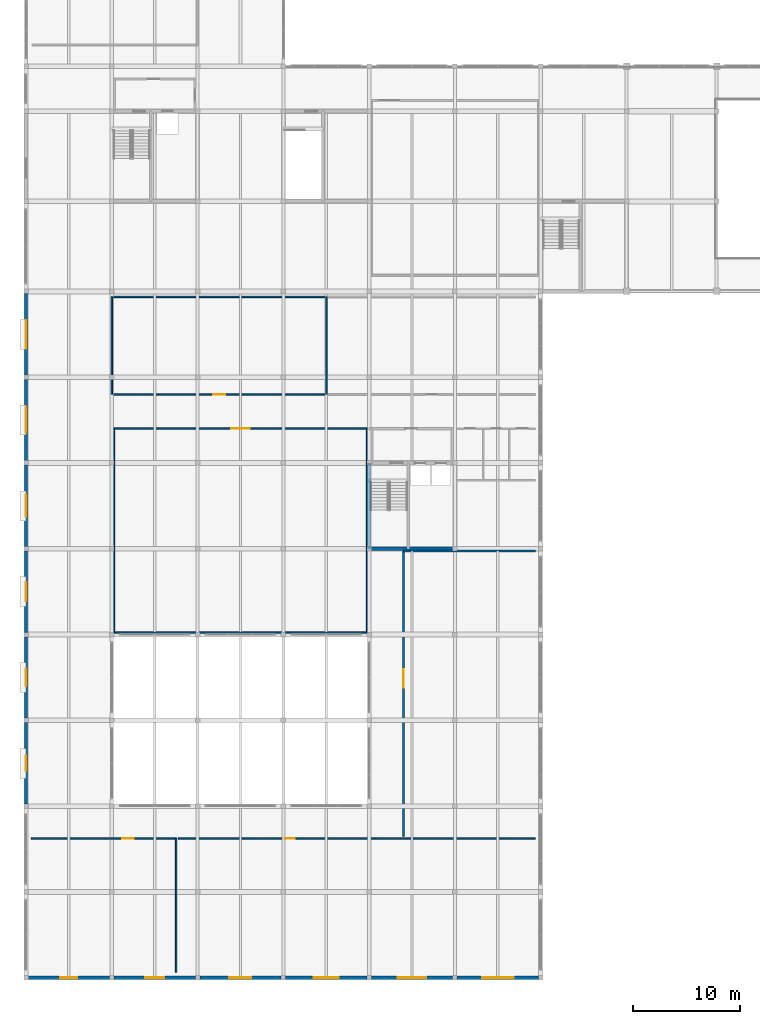
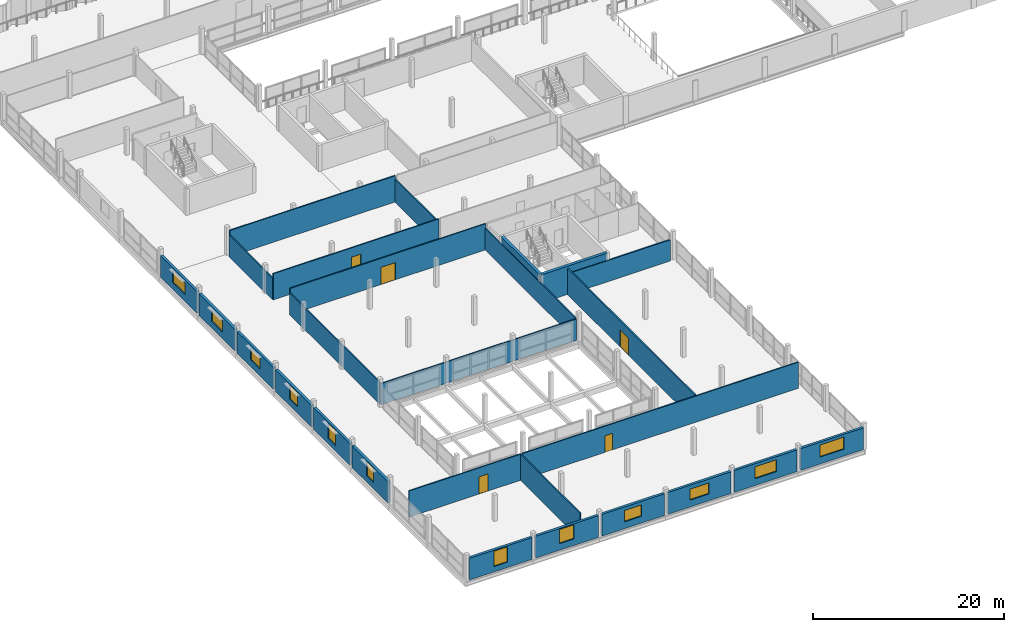
# One storey, part 35 of 51: 27 walls, 12 windows, 5 doors, 17 openings.
"""IFC4 building model written with IfcOpenShell, lengths in metres."""

from ifc_helpers import new_model, si_unit, direction, frame, frame_2d, origin, place, context, subcontext, project, spatial, rectangle, extrude, material, layer, layer_set, type_object, element, fill, save


model = new_model("IFC4")

# Units and contexts
model_context = context("Model", 3, precision=1e-05, world=origin(), true_north=direction((0.0, 1.0)))
body_context = subcontext(model_context, "Body", "Model", "MODEL_VIEW")
ifc_project = project(units=[si_unit("LENGTHUNIT", "METRE"), si_unit("AREAUNIT", "SQUARE_METRE"), si_unit("VOLUMEUNIT", "CUBIC_METRE"), si_unit("PLANEANGLEUNIT", "RADIAN"), si_unit("MASSUNIT", "GRAM", prefix="KILO")], contexts=[model_context])

# Site, building, storey
site_placement = place(None, origin())
site = spatial("IfcSite", under=ifc_project, at=site_placement, CompositionType="ELEMENT")
building_placement = place(site_placement, origin())
building = spatial("IfcBuilding", under=site, at=building_placement, Name="Vharandega Faculty of Natural Sciences", CompositionType="ELEMENT")
storey_placement = place(building_placement, frame((0.0, 0.0, 14.39990234375)))
storey = spatial("IfcBuildingStorey", under=building, at=storey_placement, Name="L03", CompositionType="ELEMENT", Elevation=14.39990234375)

# Walls
ifc_material_1 = material(Name="Concrete C40/50", Category="concrete")
ifc_layer_1 = layer(ifc_material_1, 0.35009765625, Name="Concrete C40/50")
ifc_layer_set_1 = layer_set([ifc_layer_1], Name="Concrete C40/50")
wall_type_1 = type_object("IfcWallType", Name="Core Shear Wall 350", PredefinedType="SHEAR", material=ifc_layer_set_1)
for number, where, z_axis, x_axis, name in (
    (1, (32.0, 40.0, 0.0), (0.0, 0.0, 1.0), (1.0, 0.0, 0.0), "Interior Wall CW-C3-L03-S"),
    (2, (32.0, 40.0, 0.0), (0.0, 0.0, 1.0), (0.0, 1.0, 0.0), "Interior Wall CW-C3-L03-W"),
):
    element("IfcWall", number, at=place(storey_placement, frame(where, z_axis=z_axis, x_axis=x_axis)), inside=storey, type_object=wall_type_1, Name=name, PredefinedType="SHEAR", context=body_context, shape_type="SweptSolid", body=[
        extrude(rectangle(XDim=8.0, YDim=0.35009765625, at=frame_2d((4.0, 0.0))), origin(), (0.0, 0.0, 1.0), 3.60009765625),
    ])
ifc_material_2 = material(Name="Gypsum fire-board on steel stud", Category="steel")
ifc_layer_2 = layer(ifc_material_2, 0.159912109375, Name="Gypsum fire-board on steel stud")
ifc_layer_set_2 = layer_set([ifc_layer_2], Name="Gypsum fire-board on steel stud")
wall_type_2 = type_object("IfcWallType", Name="Laboratory Fire Corridor Wall 160", PredefinedType="PARTITIONING", material=ifc_layer_set_2)
wall_1_placement = place(storey_placement, frame((35.199951171875, 39.800048828125, 0.0), z_axis=(0.0, 0.0, 1.0), x_axis=(1.0, 0.0, 0.0)))
element("IfcWall", 3, at=wall_1_placement, inside=storey, type_object=wall_type_2, Name="Interior Wall PW-L03-R03N", PredefinedType="PARTITIONING", context=body_context, shape_type="SweptSolid", body=[
    extrude(rectangle(XDim=12.300048828125, YDim=0.159912109375, at=frame_2d((6.14990234375, 0.0))), origin(), (0.0, 0.0, 1.0), 2.7001953125),
])

# Wall, opening, door
wall_2_placement = place(storey_placement, frame((35.199951171875, 13.199951171875, 0.0), z_axis=(0.0, 0.0, 1.0), x_axis=(0.0, 1.0, 0.0)))
wall_2 = element("IfcWall", 4, at=wall_2_placement, inside=storey, type_object=wall_type_2, Name="Interior Wall PW-L03-R03W", PredefinedType="PARTITIONING", context=body_context, shape_type="SweptSolid", body=[
    extrude(rectangle(XDim=26.60009765625, YDim=0.159912109375, at=frame_2d((13.300048828125, 0.0))), origin(), (0.0, 0.0, 1.0), 3.340087890625),
])
opening_1_placement = place(wall_2_placement, frame((13.824951171875, 0.0, 0.0)))
opening_1 = element("IfcOpeningElement", 5, at=opening_1_placement, cuts=wall_2, Name="Opening D0283", PredefinedType="OPENING", context=body_context, shape_type="SweptSolid", body=[
    extrude(rectangle(XDim=1.75, YDim=2.199951171875, at=frame_2d((0.875, 1.10009765625))), frame((0.0, 0.08984375, 0.0), z_axis=(0.0, -1.0, 0.0), x_axis=(1.0, 0.0, 0.0)), (0.0, 0.0, 1.0), 0.179931640625),
])
ifc_material_3 = material(Name="Solid-core hardwood timber fire door", Category="wood")
door_type_1 = type_object("IfcDoorType", Name="ID09-HERBARIUM-DBL-1750x2200", OperationType="DOUBLE_DOOR_SINGLE_SWING", PredefinedType="DOOR", material=ifc_material_3)
door_1_placement = place(opening_1_placement, origin())
door_1 = element("IfcDoor", 6, at=door_1_placement, inside=storey, type_object=door_type_1, Name="Herbarium Taxonomy Examination Hall Door D0283", OperationType="DOUBLE_DOOR_SINGLE_SWING", OverallHeight=2.199951171875, OverallWidth=1.75, PredefinedType="DOOR", context=body_context, shape_type="SweptSolid", body=[
    extrude(rectangle(XDim=1.75, YDim=2.199951171875, at=frame_2d((0.875, 1.10009765625))), frame((0.0, 0.02490234375, 0.0), z_axis=(0.0, -1.0, 0.0), x_axis=(1.0, 0.0, 0.0)), (0.0, 0.0, 1.0), 0.050048828125),
])
fill(opening_1, door_1)

# Wall, opening, window
ifc_material_4 = material(Name="Precast concrete C40/50", Category="concrete")
ifc_layer_3 = layer(ifc_material_4, 0.300048828125, Name="Precast concrete C40/50")
ifc_layer_set_3 = layer_set([ifc_layer_3], Name="Precast concrete C40/50")
wall_type_3 = type_object("IfcWallType", Name="Polychrome Precast Facade Wall 300", PredefinedType="SOLIDWALL", material=ifc_layer_set_3)
wall_3_placement = place(storey_placement, frame((0.0, 16.2080078125, 0.0), z_axis=(0.0, 0.0, 1.0), x_axis=(0.0, 1.0, 0.0)))
wall_3 = element("IfcWall", 7, at=wall_3_placement, inside=storey, type_object=wall_type_3, Name="Exterior Wall EW-V5W-L03-C", PredefinedType="SOLIDWALL", context=body_context, shape_type="SweptSolid", body=[
    extrude(rectangle(XDim=7.583984375, YDim=0.300048828125, at=frame_2d((3.7919921875, 0.0))), origin(), (0.0, 0.0, 1.0), 2.780029296875),
])
opening_2_placement = place(wall_3_placement, frame((3.092041015625, 0.0, 0.7900390625)))
opening_2 = element("IfcOpeningElement", 8, at=opening_2_placement, cuts=wall_3, Name="Opening WN-31", PredefinedType="OPENING", context=body_context, shape_type="SweptSolid", body=[
    extrude(rectangle(XDim=1.39990234375, YDim=1.85009765625, at=frame_2d((0.699951171875, 0.925048828125))), frame((0.0, 0.16015625, 0.0), z_axis=(0.0, -1.0, 0.0), x_axis=(1.0, 0.0, 0.0)), (0.0, 0.0, 1.0), 0.320068359375),
])
ifc_material_5 = material(Name="Double-glazed solar-control glass in thermally broken aluminium frame", Category="aluminium")
window_type_1 = type_object("IfcWindowType", Name="WIN-SEM-140x185", PartitioningType="SINGLE_PANEL", PredefinedType="WINDOW", material=ifc_material_5)
window_1_placement = place(opening_2_placement, origin())
window_1 = element("IfcWindow", 9, at=window_1_placement, inside=storey, type_object=window_type_1, Name="Window WIN-L03-0247", OverallHeight=1.85009765625, OverallWidth=1.39990234375, PartitioningType="SINGLE_PANEL", PredefinedType="WINDOW", context=body_context, shape_type="SweptSolid", body=[
    extrude(rectangle(XDim=1.39990234375, YDim=1.85009765625, at=frame_2d((0.699951171875, 0.925048828125))), frame((0.0, 0.030029296875, 0.0), z_axis=(0.0, -1.0, 0.0), x_axis=(1.0, 0.0, 0.0)), (0.0, 0.0, 1.0), 0.06005859375),
])
fill(opening_2, window_1)

wall_4_placement = place(storey_placement, frame((0.0, 24.2080078125, 0.0), z_axis=(0.0, 0.0, 1.0), x_axis=(0.0, 1.0, 0.0)))
wall_4 = element("IfcWall", 10, at=wall_4_placement, inside=storey, type_object=wall_type_3, Name="Exterior Wall EW-V5W-L03-D", PredefinedType="SOLIDWALL", context=body_context, shape_type="SweptSolid", body=[
    extrude(rectangle(XDim=7.583984375, YDim=0.300048828125, at=frame_2d((3.7919921875, 0.0))), origin(), (0.0, 0.0, 1.0), 2.780029296875),
])
opening_3_placement = place(wall_4_placement, frame((2.991943359375, 0.0, 0.68994140625)))
opening_3 = element("IfcOpeningElement", 11, at=opening_3_placement, cuts=wall_4, Name="Opening WN-32", PredefinedType="OPENING", context=body_context, shape_type="SweptSolid", body=[
    extrude(rectangle(XDim=1.60009765625, YDim=1.949951171875, at=frame_2d((0.800048828125, 0.97509765625))), frame((0.0, 0.16015625, 0.0), z_axis=(0.0, -1.0, 0.0), x_axis=(1.0, 0.0, 0.0)), (0.0, 0.0, 1.0), 0.320068359375),
])
ifc_material_6 = material(Name="Double-glazed solar-control glass in thermally broken aluminium frame", Category="aluminium")
window_type_2 = type_object("IfcWindowType", Name="WIN-SEM-160x195", PartitioningType="SINGLE_PANEL", PredefinedType="WINDOW", material=ifc_material_6)
window_2_placement = place(opening_3_placement, origin())
window_2 = element("IfcWindow", 12, at=window_2_placement, inside=storey, type_object=window_type_2, Name="Window WIN-L03-0248", OverallHeight=1.949951171875, OverallWidth=1.60009765625, PartitioningType="SINGLE_PANEL", PredefinedType="WINDOW", context=body_context, shape_type="SweptSolid", body=[
    extrude(rectangle(XDim=1.60009765625, YDim=1.949951171875, at=frame_2d((0.800048828125, 0.97509765625))), frame((0.0, 0.030029296875, 0.0), z_axis=(0.0, -1.0, 0.0), x_axis=(1.0, 0.0, 0.0)), (0.0, 0.0, 1.0), 0.06005859375),
])
fill(opening_3, window_2)

wall_5_placement = place(storey_placement, frame((0.0, 32.2080078125, 0.0), z_axis=(0.0, 0.0, 1.0), x_axis=(0.0, 1.0, 0.0)))
wall_5 = element("IfcWall", 13, at=wall_5_placement, inside=storey, type_object=wall_type_3, Name="Exterior Wall EW-V5W-L03-E", PredefinedType="SOLIDWALL", context=body_context, shape_type="SweptSolid", body=[
    extrude(rectangle(XDim=7.583984375, YDim=0.300048828125, at=frame_2d((3.7919921875, 0.0))), origin(), (0.0, 0.0, 1.0), 2.780029296875),
])
opening_4_placement = place(wall_5_placement, frame((2.9169921875, 0.0, 0.840087890625)))
opening_4 = element("IfcOpeningElement", 14, at=opening_4_placement, cuts=wall_5, Name="Opening WN-33", PredefinedType="OPENING", context=body_context, shape_type="SweptSolid", body=[
    extrude(rectangle(XDim=1.75, YDim=1.800048828125, at=frame_2d((0.875, 0.89990234375))), frame((0.0, 0.16015625, 0.0), z_axis=(0.0, -1.0, 0.0), x_axis=(1.0, 0.0, 0.0)), (0.0, 0.0, 1.0), 0.320068359375),
])
ifc_material_7 = material(Name="Double-glazed solar-control glass in thermally broken aluminium frame", Category="aluminium")
window_type_3 = type_object("IfcWindowType", Name="WIN-SEM-175x180", PartitioningType="SINGLE_PANEL", PredefinedType="WINDOW", material=ifc_material_7)
window_3_placement = place(opening_4_placement, origin())
window_3 = element("IfcWindow", 15, at=window_3_placement, inside=storey, type_object=window_type_3, Name="Window WIN-L03-0249", OverallHeight=1.800048828125, OverallWidth=1.75, PartitioningType="SINGLE_PANEL", PredefinedType="WINDOW", context=body_context, shape_type="SweptSolid", body=[
    extrude(rectangle(XDim=1.75, YDim=1.800048828125, at=frame_2d((0.875, 0.89990234375))), frame((0.0, 0.030029296875, 0.0), z_axis=(0.0, -1.0, 0.0), x_axis=(1.0, 0.0, 0.0)), (0.0, 0.0, 1.0), 0.06005859375),
])
fill(opening_4, window_3)

wall_6_placement = place(storey_placement, frame((0.0, 40.2080078125, 0.0), z_axis=(0.0, 0.0, 1.0), x_axis=(0.0, 1.0, 0.0)))
wall_6 = element("IfcWall", 16, at=wall_6_placement, inside=storey, type_object=wall_type_3, Name="Exterior Wall EW-V5W-L03-F", PredefinedType="SOLIDWALL", context=body_context, shape_type="SweptSolid", body=[
    extrude(rectangle(XDim=7.583984375, YDim=0.300048828125, at=frame_2d((3.7919921875, 0.0))), origin(), (0.0, 0.0, 1.0), 2.780029296875),
])
opening_5_placement = place(wall_6_placement, frame((2.76708984375, 0.0, 0.8798828125)))
opening_5 = element("IfcOpeningElement", 17, at=opening_5_placement, cuts=wall_6, Name="Opening WN-34", PredefinedType="OPENING", context=body_context, shape_type="SweptSolid", body=[
    extrude(rectangle(XDim=2.050048828125, YDim=1.449951171875, at=frame_2d((1.02490234375, 0.72509765625))), frame((0.0, 0.16015625, 0.0), z_axis=(0.0, -1.0, 0.0), x_axis=(1.0, 0.0, 0.0)), (0.0, 0.0, 1.0), 0.320068359375),
])
ifc_material_8 = material(Name="Double-glazed solar-control glass in thermally broken aluminium frame", Category="aluminium")
window_type_4 = type_object("IfcWindowType", Name="WIN-SEM-205x145", PartitioningType="DOUBLE_PANEL_VERTICAL", PredefinedType="WINDOW", material=ifc_material_8)
window_4_placement = place(opening_5_placement, origin())
window_4 = element("IfcWindow", 18, at=window_4_placement, inside=storey, type_object=window_type_4, Name="Window WIN-L03-0250", OverallHeight=1.449951171875, OverallWidth=2.050048828125, PartitioningType="SINGLE_PANEL", PredefinedType="WINDOW", context=body_context, shape_type="SweptSolid", body=[
    extrude(rectangle(XDim=2.050048828125, YDim=1.449951171875, at=frame_2d((1.02490234375, 0.72509765625))), frame((0.0, 0.030029296875, 0.0), z_axis=(0.0, -1.0, 0.0), x_axis=(1.0, 0.0, 0.0)), (0.0, 0.0, 1.0), 0.06005859375),
])
fill(opening_5, window_4)

wall_7_placement = place(storey_placement, frame((0.0, 48.2080078125, 0.0), z_axis=(0.0, 0.0, 1.0), x_axis=(0.0, 1.0, 0.0)))
wall_7 = element("IfcWall", 19, at=wall_7_placement, inside=storey, type_object=wall_type_3, Name="Exterior Wall EW-V5W-L03-G", PredefinedType="SOLIDWALL", context=body_context, shape_type="SweptSolid", body=[
    extrude(rectangle(XDim=7.583984375, YDim=0.300048828125, at=frame_2d((3.7919921875, 0.0))), origin(), (0.0, 0.0, 1.0), 2.780029296875),
])
opening_6_placement = place(wall_7_placement, frame((2.616943359375, 0.0, 0.8798828125)))
opening_6 = element("IfcOpeningElement", 20, at=opening_6_placement, cuts=wall_7, Name="Opening WN-35", PredefinedType="OPENING", context=body_context, shape_type="SweptSolid", body=[
    extrude(rectangle(XDim=2.35009765625, YDim=1.39990234375, at=frame_2d((1.175048828125, 0.699951171875))), frame((0.0, 0.16015625, 0.0), z_axis=(0.0, -1.0, 0.0), x_axis=(1.0, 0.0, 0.0)), (0.0, 0.0, 1.0), 0.320068359375),
])
ifc_material_9 = material(Name="Double-glazed solar-control glass in thermally broken aluminium frame", Category="aluminium")
window_type_5 = type_object("IfcWindowType", Name="WIN-SEM-235x140", PartitioningType="DOUBLE_PANEL_VERTICAL", PredefinedType="WINDOW", material=ifc_material_9)
window_5_placement = place(opening_6_placement, origin())
window_5 = element("IfcWindow", 21, at=window_5_placement, inside=storey, type_object=window_type_5, Name="Window WIN-L03-0251", OverallHeight=1.39990234375, OverallWidth=2.35009765625, PartitioningType="SINGLE_PANEL", PredefinedType="WINDOW", context=body_context, shape_type="SweptSolid", body=[
    extrude(rectangle(XDim=2.35009765625, YDim=1.39990234375, at=frame_2d((1.175048828125, 0.699951171875))), frame((0.0, 0.030029296875, 0.0), z_axis=(0.0, -1.0, 0.0), x_axis=(1.0, 0.0, 0.0)), (0.0, 0.0, 1.0), 0.06005859375),
])
fill(opening_6, window_5)

wall_8_placement = place(storey_placement, frame((0.0, 56.2080078125, 0.0), z_axis=(0.0, 0.0, 1.0), x_axis=(0.0, 1.0, 0.0)))
wall_8 = element("IfcWall", 22, at=wall_8_placement, inside=storey, type_object=wall_type_3, Name="Exterior Wall EW-V5W-L03-H", PredefinedType="SOLIDWALL", context=body_context, shape_type="SweptSolid", body=[
    extrude(rectangle(XDim=7.583984375, YDim=0.300048828125, at=frame_2d((3.7919921875, 0.0))), origin(), (0.0, 0.0, 1.0), 2.780029296875),
])
opening_7_placement = place(wall_8_placement, frame((2.467041015625, 0.0, 0.8798828125)))
opening_7 = element("IfcOpeningElement", 23, at=opening_7_placement, cuts=wall_8, Name="Opening WN-36", PredefinedType="OPENING", context=body_context, shape_type="SweptSolid", body=[
    extrude(rectangle(XDim=2.64990234375, YDim=1.5, at=frame_2d((1.324951171875, 0.75))), frame((0.0, 0.16015625, 0.0), z_axis=(0.0, -1.0, 0.0), x_axis=(1.0, 0.0, 0.0)), (0.0, 0.0, 1.0), 0.320068359375),
])
ifc_material_10 = material(Name="Double-glazed solar-control glass in thermally broken aluminium frame", Category="aluminium")
window_type_6 = type_object("IfcWindowType", Name="WIN-SEM-265x150", PartitioningType="DOUBLE_PANEL_VERTICAL", PredefinedType="WINDOW", material=ifc_material_10)
window_6_placement = place(opening_7_placement, origin())
window_6 = element("IfcWindow", 24, at=window_6_placement, inside=storey, type_object=window_type_6, Name="Window WIN-L03-0252", OverallHeight=1.5, OverallWidth=2.64990234375, PartitioningType="SINGLE_PANEL", PredefinedType="WINDOW", context=body_context, shape_type="SweptSolid", body=[
    extrude(rectangle(XDim=2.64990234375, YDim=1.5, at=frame_2d((1.324951171875, 0.75))), frame((0.0, 0.030029296875, 0.0), z_axis=(0.0, -1.0, 0.0), x_axis=(1.0, 0.0, 0.0)), (0.0, 0.0, 1.0), 0.06005859375),
])
fill(opening_7, window_6)

wall_9_placement = place(storey_placement, frame((7.7919921875, 0.0, 0.0), z_axis=(0.0, 0.0, 1.0), x_axis=(-1.0, 0.0, 0.0)))
wall_9 = element("IfcWall", 25, at=wall_9_placement, inside=storey, type_object=wall_type_3, Name="Exterior Wall EW-V5S-L03-1", PredefinedType="SOLIDWALL", context=body_context, shape_type="SweptSolid", body=[
    extrude(rectangle(XDim=7.583984375, YDim=0.300048828125, at=frame_2d((3.7919921875, 0.0))), origin(), (0.0, 0.0, 1.0), 2.780029296875),
])
opening_8_placement = place(wall_9_placement, frame((2.991943359375, 0.0, 0.68994140625)))
opening_8 = element("IfcOpeningElement", 26, at=opening_8_placement, cuts=wall_9, Name="Opening WN-32", PredefinedType="OPENING", context=body_context, shape_type="SweptSolid", body=[
    extrude(rectangle(XDim=1.60009765625, YDim=1.949951171875, at=frame_2d((0.800048828125, 0.97509765625))), frame((0.0, 0.16015625, 0.0), z_axis=(0.0, -1.0, 0.0), x_axis=(1.0, 0.0, 0.0)), (0.0, 0.0, 1.0), 0.320068359375),
])
window_7_placement = place(opening_8_placement, origin())
window_7 = element("IfcWindow", 27, at=window_7_placement, inside=storey, type_object=window_type_2, Name="Window WIN-L03-0253", OverallHeight=1.949951171875, OverallWidth=1.60009765625, PartitioningType="SINGLE_PANEL", PredefinedType="WINDOW", context=body_context, shape_type="SweptSolid", body=[
    extrude(rectangle(XDim=1.60009765625, YDim=1.949951171875, at=frame_2d((0.800048828125, 0.97509765625))), frame((0.0, 0.030029296875, 0.0), z_axis=(0.0, -1.0, 0.0), x_axis=(1.0, 0.0, 0.0)), (0.0, 0.0, 1.0), 0.06005859375),
])
fill(opening_8, window_7)

wall_10_placement = place(storey_placement, frame((15.7919921875, 0.0, 0.0), z_axis=(0.0, 0.0, 1.0), x_axis=(-1.0, 0.0, 0.0)))
wall_10 = element("IfcWall", 28, at=wall_10_placement, inside=storey, type_object=wall_type_3, Name="Exterior Wall EW-V5S-L03-2", PredefinedType="SOLIDWALL", context=body_context, shape_type="SweptSolid", body=[
    extrude(rectangle(XDim=7.583984375, YDim=0.300048828125, at=frame_2d((3.7919921875, 0.0))), origin(), (0.0, 0.0, 1.0), 2.780029296875),
])
opening_9_placement = place(wall_10_placement, frame((2.9169921875, 0.0, 0.840087890625)))
opening_9 = element("IfcOpeningElement", 29, at=opening_9_placement, cuts=wall_10, Name="Opening WN-33", PredefinedType="OPENING", context=body_context, shape_type="SweptSolid", body=[
    extrude(rectangle(XDim=1.75, YDim=1.800048828125, at=frame_2d((0.875, 0.89990234375))), frame((0.0, 0.16015625, 0.0), z_axis=(0.0, -1.0, 0.0), x_axis=(1.0, 0.0, 0.0)), (0.0, 0.0, 1.0), 0.320068359375),
])
window_8_placement = place(opening_9_placement, origin())
window_8 = element("IfcWindow", 30, at=window_8_placement, inside=storey, type_object=window_type_3, Name="Window WIN-L03-0254", OverallHeight=1.800048828125, OverallWidth=1.75, PartitioningType="SINGLE_PANEL", PredefinedType="WINDOW", context=body_context, shape_type="SweptSolid", body=[
    extrude(rectangle(XDim=1.75, YDim=1.800048828125, at=frame_2d((0.875, 0.89990234375))), frame((0.0, 0.030029296875, 0.0), z_axis=(0.0, -1.0, 0.0), x_axis=(1.0, 0.0, 0.0)), (0.0, 0.0, 1.0), 0.06005859375),
])
fill(opening_9, window_8)

wall_11_placement = place(storey_placement, frame((23.7919921875, 0.0, 0.0), z_axis=(0.0, 0.0, 1.0), x_axis=(-1.0, 0.0, 0.0)))
wall_11 = element("IfcWall", 31, at=wall_11_placement, inside=storey, type_object=wall_type_3, Name="Exterior Wall EW-V5S-L03-3", PredefinedType="SOLIDWALL", context=body_context, shape_type="SweptSolid", body=[
    extrude(rectangle(XDim=7.583984375, YDim=0.300048828125, at=frame_2d((3.7919921875, 0.0))), origin(), (0.0, 0.0, 1.0), 2.780029296875),
])
opening_10_placement = place(wall_11_placement, frame((2.76708984375, 0.0, 0.8798828125)))
opening_10 = element("IfcOpeningElement", 32, at=opening_10_placement, cuts=wall_11, Name="Opening WN-34", PredefinedType="OPENING", context=body_context, shape_type="SweptSolid", body=[
    extrude(rectangle(XDim=2.050048828125, YDim=1.449951171875, at=frame_2d((1.02490234375, 0.72509765625))), frame((0.0, 0.16015625, 0.0), z_axis=(0.0, -1.0, 0.0), x_axis=(1.0, 0.0, 0.0)), (0.0, 0.0, 1.0), 0.320068359375),
])
window_9_placement = place(opening_10_placement, origin())
window_9 = element("IfcWindow", 33, at=window_9_placement, inside=storey, type_object=window_type_4, Name="Window WIN-L03-0255", OverallHeight=1.449951171875, OverallWidth=2.050048828125, PartitioningType="SINGLE_PANEL", PredefinedType="WINDOW", context=body_context, shape_type="SweptSolid", body=[
    extrude(rectangle(XDim=2.050048828125, YDim=1.449951171875, at=frame_2d((1.02490234375, 0.72509765625))), frame((0.0, 0.030029296875, 0.0), z_axis=(0.0, -1.0, 0.0), x_axis=(1.0, 0.0, 0.0)), (0.0, 0.0, 1.0), 0.06005859375),
])
fill(opening_10, window_9)

wall_12_placement = place(storey_placement, frame((31.7919921875, 0.0, 0.0), z_axis=(0.0, 0.0, 1.0), x_axis=(-1.0, 0.0, 0.0)))
wall_12 = element("IfcWall", 34, at=wall_12_placement, inside=storey, type_object=wall_type_3, Name="Exterior Wall EW-V5S-L03-4", PredefinedType="SOLIDWALL", context=body_context, shape_type="SweptSolid", body=[
    extrude(rectangle(XDim=7.583984375, YDim=0.300048828125, at=frame_2d((3.7919921875, 0.0))), origin(), (0.0, 0.0, 1.0), 2.780029296875),
])
opening_11_placement = place(wall_12_placement, frame((2.616943359375, 0.0, 0.8798828125)))
opening_11 = element("IfcOpeningElement", 35, at=opening_11_placement, cuts=wall_12, Name="Opening WN-35", PredefinedType="OPENING", context=body_context, shape_type="SweptSolid", body=[
    extrude(rectangle(XDim=2.35009765625, YDim=1.39990234375, at=frame_2d((1.175048828125, 0.699951171875))), frame((0.0, 0.16015625, 0.0), z_axis=(0.0, -1.0, 0.0), x_axis=(1.0, 0.0, 0.0)), (0.0, 0.0, 1.0), 0.320068359375),
])
window_10_placement = place(opening_11_placement, origin())
window_10 = element("IfcWindow", 36, at=window_10_placement, inside=storey, type_object=window_type_5, Name="Window WIN-L03-0256", OverallHeight=1.39990234375, OverallWidth=2.35009765625, PartitioningType="SINGLE_PANEL", PredefinedType="WINDOW", context=body_context, shape_type="SweptSolid", body=[
    extrude(rectangle(XDim=2.35009765625, YDim=1.39990234375, at=frame_2d((1.175048828125, 0.699951171875))), frame((0.0, 0.030029296875, 0.0), z_axis=(0.0, -1.0, 0.0), x_axis=(1.0, 0.0, 0.0)), (0.0, 0.0, 1.0), 0.06005859375),
])
fill(opening_11, window_10)

wall_13_placement = place(storey_placement, frame((39.7919921875, 0.0, 0.0), z_axis=(0.0, 0.0, 1.0), x_axis=(-1.0, 0.0, 0.0)))
wall_13 = element("IfcWall", 37, at=wall_13_placement, inside=storey, type_object=wall_type_3, Name="Exterior Wall EW-V5S-L03-5", PredefinedType="SOLIDWALL", context=body_context, shape_type="SweptSolid", body=[
    extrude(rectangle(XDim=7.583984375, YDim=0.300048828125, at=frame_2d((3.7919921875, 0.0))), origin(), (0.0, 0.0, 1.0), 2.780029296875),
])
opening_12_placement = place(wall_13_placement, frame((2.467041015625, 0.0, 0.8798828125)))
opening_12 = element("IfcOpeningElement", 38, at=opening_12_placement, cuts=wall_13, Name="Opening WN-36", PredefinedType="OPENING", context=body_context, shape_type="SweptSolid", body=[
    extrude(rectangle(XDim=2.64990234375, YDim=1.5, at=frame_2d((1.324951171875, 0.75))), frame((0.0, 0.16015625, 0.0), z_axis=(0.0, -1.0, 0.0), x_axis=(1.0, 0.0, 0.0)), (0.0, 0.0, 1.0), 0.320068359375),
])
window_11_placement = place(opening_12_placement, origin())
window_11 = element("IfcWindow", 39, at=window_11_placement, inside=storey, type_object=window_type_6, Name="Window WIN-L03-0257", OverallHeight=1.5, OverallWidth=2.64990234375, PartitioningType="SINGLE_PANEL", PredefinedType="WINDOW", context=body_context, shape_type="SweptSolid", body=[
    extrude(rectangle(XDim=2.64990234375, YDim=1.5, at=frame_2d((1.324951171875, 0.75))), frame((0.0, 0.030029296875, 0.0), z_axis=(0.0, -1.0, 0.0), x_axis=(1.0, 0.0, 0.0)), (0.0, 0.0, 1.0), 0.06005859375),
])
fill(opening_12, window_11)

wall_14_placement = place(storey_placement, frame((47.7919921875, 0.0, 0.0), z_axis=(0.0, 0.0, 1.0), x_axis=(-1.0, 0.0, 0.0)))
wall_14 = element("IfcWall", 40, at=wall_14_placement, inside=storey, type_object=wall_type_3, Name="Exterior Wall EW-V5S-L03-6", PredefinedType="SOLIDWALL", context=body_context, shape_type="SweptSolid", body=[
    extrude(rectangle(XDim=7.583984375, YDim=0.300048828125, at=frame_2d((3.7919921875, 0.0))), origin(), (0.0, 0.0, 1.0), 2.780029296875),
])
opening_13_placement = place(wall_14_placement, frame((2.31689453125, 0.0, 0.8798828125)))
opening_13 = element("IfcOpeningElement", 41, at=opening_13_placement, cuts=wall_14, Name="Opening WN-37", PredefinedType="OPENING", context=body_context, shape_type="SweptSolid", body=[
    extrude(rectangle(XDim=2.949951171875, YDim=1.550048828125, at=frame_2d((1.47509765625, 0.77490234375))), frame((0.0, 0.16015625, 0.0), z_axis=(0.0, -1.0, 0.0), x_axis=(1.0, 0.0, 0.0)), (0.0, 0.0, 1.0), 0.320068359375),
])
ifc_material_11 = material(Name="Double-glazed solar-control glass in thermally broken aluminium frame", Category="aluminium")
window_type_7 = type_object("IfcWindowType", Name="WIN-SEM-295x155", PartitioningType="DOUBLE_PANEL_VERTICAL", PredefinedType="WINDOW", material=ifc_material_11)
window_12_placement = place(opening_13_placement, origin())
window_12 = element("IfcWindow", 42, at=window_12_placement, inside=storey, type_object=window_type_7, Name="Window WIN-L03-0258", OverallHeight=1.550048828125, OverallWidth=2.949951171875, PartitioningType="SINGLE_PANEL", PredefinedType="WINDOW", context=body_context, shape_type="SweptSolid", body=[
    extrude(rectangle(XDim=2.949951171875, YDim=1.550048828125, at=frame_2d((1.47509765625, 0.77490234375))), frame((0.0, 0.030029296875, 0.0), z_axis=(0.0, -1.0, 0.0), x_axis=(1.0, 0.0, 0.0)), (0.0, 0.0, 1.0), 0.06005859375),
])
fill(opening_13, window_12)

# Wall, opening, door
ifc_material_12 = material(Name="Gypsum acoustic partition", Category="gypsum")
ifc_layer_4 = layer(ifc_material_12, 0.139892578125, Name="Gypsum acoustic partition")
ifc_layer_set_4 = layer_set([ifc_layer_4], Name="Gypsum acoustic partition")
wall_type_4 = type_object("IfcWallType", Name="Room Partition Wall 140", PredefinedType="PARTITIONING", material=ifc_layer_set_4)
wall_15_placement = place(storey_placement, frame((0.5, 13.0, 0.0), z_axis=(0.0, 0.0, 1.0), x_axis=(1.0, 0.0, 0.0)))
wall_15 = element("IfcWall", 43, at=wall_15_placement, inside=storey, type_object=wall_type_4, Name="Interior Wall PW-L03-R01N", PredefinedType="PARTITIONING", context=body_context, shape_type="SweptSolid", body=[
    extrude(rectangle(XDim=13.5, YDim=0.139892578125, at=frame_2d((6.75, 0.0))), origin(), (0.0, 0.0, 1.0), 3.340087890625),
])
opening_14_placement = place(wall_15_placement, frame((8.4599609375, 0.0, 0.0)))
opening_14 = element("IfcOpeningElement", 44, at=opening_14_placement, cuts=wall_15, Name="Opening D0281", PredefinedType="OPENING", context=body_context, shape_type="SweptSolid", body=[
    extrude(rectangle(XDim=1.080078125, YDim=2.199951171875, at=frame_2d((0.5400390625, 1.10009765625))), frame((0.0, 0.080078125, 0.0), z_axis=(0.0, -1.0, 0.0), x_axis=(1.0, 0.0, 0.0)), (0.0, 0.0, 1.0), 0.159912109375),
])
ifc_material_13 = material(Name="Solid-core hardwood timber fire door", Category="wood")
door_type_2 = type_object("IfcDoorType", Name="ID03-SEMINAR-1080x2200", OperationType="NOTDEFINED", PredefinedType="DOOR", material=ifc_material_13)
door_2_placement = place(opening_14_placement, origin())
door_2 = element("IfcDoor", 45, at=door_2_placement, inside=storey, type_object=door_type_2, Name="Seminar Room 301 Door D0281", OperationType="SINGLE_SWING_LEFT", OverallHeight=2.199951171875, OverallWidth=1.080078125, PredefinedType="DOOR", context=body_context, shape_type="SweptSolid", body=[
    extrude(rectangle(XDim=1.080078125, YDim=2.199951171875, at=frame_2d((0.5400390625, 1.10009765625))), frame((0.0, 0.02490234375, 0.0), z_axis=(0.0, -1.0, 0.0), x_axis=(1.0, 0.0, 0.0)), (0.0, 0.0, 1.0), 0.050048828125),
])
fill(opening_14, door_2)

# Wall
wall_16_placement = place(storey_placement, frame((14.0, 0.5, 0.0), z_axis=(0.0, 0.0, 1.0), x_axis=(0.0, 1.0, 0.0)))
element("IfcWall", 46, at=wall_16_placement, inside=storey, type_object=wall_type_4, Name="Interior Wall PW-L03-R01E", PredefinedType="PARTITIONING", context=body_context, shape_type="SweptSolid", body=[
    extrude(rectangle(XDim=12.5, YDim=0.139892578125, at=frame_2d((6.25, 0.0))), origin(), (0.0, 0.0, 1.0), 3.340087890625),
])

# Wall, opening, door
wall_17_placement = place(storey_placement, frame((14.199951171875, 13.0, 0.0), z_axis=(0.0, 0.0, 1.0), x_axis=(1.0, 0.0, 0.0)))
wall_17 = element("IfcWall", 47, at=wall_17_placement, inside=storey, type_object=wall_type_4, Name="Interior Wall PW-L03-R02N", PredefinedType="PARTITIONING", context=body_context, shape_type="SweptSolid", body=[
    extrude(rectangle(XDim=33.300048828125, YDim=0.139892578125, at=frame_2d((16.64990234375, 0.0))), origin(), (0.0, 0.0, 1.0), 3.340087890625),
])
opening_15_placement = place(wall_17_placement, frame((9.925048828125, 0.0, 0.0)))
opening_15 = element("IfcOpeningElement", 48, at=opening_15_placement, cuts=wall_17, Name="Opening D0282", PredefinedType="OPENING", context=body_context, shape_type="SweptSolid", body=[
    extrude(rectangle(XDim=0.949951171875, YDim=2.10009765625, at=frame_2d((0.47509765625, 1.050048828125))), frame((0.0, 0.080078125, 0.0), z_axis=(0.0, -1.0, 0.0), x_axis=(1.0, 0.0, 0.0)), (0.0, 0.0, 1.0), 0.159912109375),
])
ifc_material_14 = material(Name="Solid-core hardwood timber fire door", Category="wood")
door_type_3 = type_object("IfcDoorType", Name="ID04-OFFICE-0950x2100", OperationType="NOTDEFINED", PredefinedType="DOOR", material=ifc_material_14)
door_3_placement = place(opening_15_placement, origin())
door_3 = element("IfcDoor", 49, at=door_3_placement, inside=storey, type_object=door_type_3, Name="Seminar Room 302 Door D0282", OperationType="SINGLE_SWING_RIGHT", OverallHeight=2.10009765625, OverallWidth=0.949951171875, PredefinedType="DOOR", context=body_context, shape_type="SweptSolid", body=[
    extrude(rectangle(XDim=0.949951171875, YDim=2.10009765625, at=frame_2d((0.47509765625, 1.050048828125))), frame((0.0, 0.02490234375, 0.0), z_axis=(0.0, -1.0, 0.0), x_axis=(1.0, 0.0, 0.0)), (0.0, 0.0, 1.0), 0.050048828125),
])
fill(opening_15, door_3)

# Wall
wall_18_placement = place(storey_placement, frame((8.199951171875, 32.199951171875, 0.0), z_axis=(0.0, 0.0, 1.0), x_axis=(1.0, 0.0, 0.0)))
element("IfcWall", 50, at=wall_18_placement, inside=storey, type_object=wall_type_4, Name="Interior Wall PW-L03-R04S", PredefinedType="PARTITIONING", context=body_context, shape_type="SweptSolid", body=[
    extrude(rectangle(XDim=23.60009765625, YDim=0.139892578125, at=frame_2d((11.800048828125, 0.0))), origin(), (0.0, 0.0, 1.0), 2.7001953125),
])

# Wall, opening, door
wall_19_placement = place(storey_placement, frame((8.199951171875, 51.199951171875, 0.0), z_axis=(0.0, 0.0, 1.0), x_axis=(1.0, 0.0, 0.0)))
wall_19 = element("IfcWall", 51, at=wall_19_placement, inside=storey, type_object=wall_type_4, Name="Interior Wall PW-L03-R04N", PredefinedType="PARTITIONING", context=body_context, shape_type="SweptSolid", body=[
    extrude(rectangle(XDim=23.60009765625, YDim=0.139892578125, at=frame_2d((11.800048828125, 0.0))), origin(), (0.0, 0.0, 1.0), 3.340087890625),
])
opening_16_placement = place(wall_19_placement, frame((10.925048828125, 0.0, 0.0)))
opening_16 = element("IfcOpeningElement", 52, at=opening_16_placement, cuts=wall_19, Name="Opening D0284", PredefinedType="OPENING", context=body_context, shape_type="SweptSolid", body=[
    extrude(rectangle(XDim=1.75, YDim=2.199951171875, at=frame_2d((0.875, 1.10009765625))), frame((0.0, 0.080078125, 0.0), z_axis=(0.0, -1.0, 0.0), x_axis=(1.0, 0.0, 0.0)), (0.0, 0.0, 1.0), 0.159912109375),
])
door_4_placement = place(opening_16_placement, origin())
door_4 = element("IfcDoor", 53, at=door_4_placement, inside=storey, type_object=door_type_1, Name="Graduate Tutorial Room 303 Door D0284", OperationType="DOUBLE_DOOR_SINGLE_SWING", OverallHeight=2.199951171875, OverallWidth=1.75, PredefinedType="DOOR", context=body_context, shape_type="SweptSolid", body=[
    extrude(rectangle(XDim=1.75, YDim=2.199951171875, at=frame_2d((0.875, 1.10009765625))), frame((0.0, 0.02490234375, 0.0), z_axis=(0.0, -1.0, 0.0), x_axis=(1.0, 0.0, 0.0)), (0.0, 0.0, 1.0), 0.050048828125),
])
fill(opening_16, door_4)

# Walls
for number, where, z_axis, x_axis, name in (
    (54, (8.199951171875, 32.199951171875, 0.0), (0.0, 0.0, 1.0), (0.0, 1.0, 0.0), "Interior Wall PW-L03-R04W"),
    (55, (31.800048828125, 32.199951171875, 0.0), (0.0, 0.0, 1.0), (0.0, 1.0, 0.0), "Interior Wall PW-L03-R04E"),
):
    element("IfcWall", number, at=place(storey_placement, frame(where, z_axis=z_axis, x_axis=x_axis)), inside=storey, type_object=wall_type_4, Name=name, PredefinedType="PARTITIONING", context=body_context, shape_type="SweptSolid", body=[
        extrude(rectangle(XDim=19.0, YDim=0.139892578125, at=frame_2d((9.5, 0.0))), origin(), (0.0, 0.0, 1.0), 2.780029296875),
    ])

# Wall, opening, door
wall_20_placement = place(storey_placement, frame((8.0, 54.39990234375, 0.0), z_axis=(0.0, 0.0, 1.0), x_axis=(1.0, 0.0, 0.0)))
wall_20 = element("IfcWall", 56, at=wall_20_placement, inside=storey, type_object=wall_type_4, Name="Interior Wall PW-L03-R05S", PredefinedType="PARTITIONING", context=body_context, shape_type="SweptSolid", body=[
    extrude(rectangle(XDim=20.0, YDim=0.139892578125, at=frame_2d((10.0, 0.0))), origin(), (0.0, 0.0, 1.0), 3.340087890625),
])
opening_17_placement = place(wall_20_placement, frame((9.43994140625, 0.0, 0.0)))
opening_17 = element("IfcOpeningElement", 57, at=opening_17_placement, cuts=wall_20, Name="Opening D0285", PredefinedType="OPENING", context=body_context, shape_type="SweptSolid", body=[
    extrude(rectangle(XDim=1.1201171875, YDim=2.14990234375, at=frame_2d((0.56005859375, 1.074951171875))), frame((0.0, 0.080078125, 0.0), z_axis=(0.0, -1.0, 0.0), x_axis=(1.0, 0.0, 0.0)), (0.0, 0.0, 1.0), 0.159912109375),
])
ifc_material_15 = material(Name="Solid-core hardwood timber fire door", Category="wood")
door_type_4 = type_object("IfcDoorType", Name="ID12-STUDIO-1120x2150", OperationType="NOTDEFINED", PredefinedType="DOOR", material=ifc_material_15)
door_5_placement = place(opening_17_placement, origin())
door_5 = element("IfcDoor", 58, at=door_5_placement, inside=storey, type_object=door_type_4, Name="Bioinformatics Teaching Studio Door D0285", OperationType="SINGLE_SWING_LEFT", OverallHeight=2.14990234375, OverallWidth=1.1201171875, PredefinedType="DOOR", context=body_context, shape_type="SweptSolid", body=[
    extrude(rectangle(XDim=1.1201171875, YDim=2.14990234375, at=frame_2d((0.56005859375, 1.074951171875))), frame((0.0, 0.02490234375, 0.0), z_axis=(0.0, -1.0, 0.0), x_axis=(1.0, 0.0, 0.0)), (0.0, 0.0, 1.0), 0.050048828125),
])
fill(opening_17, door_5)

# Walls
wall_21_placement = place(storey_placement, frame((8.0, 63.5, 0.0), z_axis=(0.0, 0.0, 1.0), x_axis=(1.0, 0.0, 0.0)))
element("IfcWall", 59, at=wall_21_placement, inside=storey, type_object=wall_type_4, Name="Interior Wall PW-L03-R05N", PredefinedType="PARTITIONING", context=body_context, shape_type="SweptSolid", body=[
    extrude(rectangle(XDim=20.0, YDim=0.139892578125, at=frame_2d((10.0, 0.0))), origin(), (0.0, 0.0, 1.0), 3.340087890625),
])
wall_22_placement = place(storey_placement, frame((8.0, 54.39990234375, 0.0), z_axis=(0.0, 0.0, 1.0), x_axis=(0.0, 1.0, 0.0)))
element("IfcWall", 60, at=wall_22_placement, inside=storey, type_object=wall_type_4, Name="Interior Wall PW-L03-R05W", PredefinedType="PARTITIONING", context=body_context, shape_type="SweptSolid", body=[
    extrude(rectangle(XDim=9.10009765625, YDim=0.139892578125, at=frame_2d((4.550048828125, 0.0))), origin(), (0.0, 0.0, 1.0), 2.780029296875),
])
wall_23_placement = place(storey_placement, frame((28.0, 54.39990234375, 0.0), z_axis=(0.0, 0.0, 1.0), x_axis=(0.0, 1.0, 0.0)))
element("IfcWall", 61, at=wall_23_placement, inside=storey, type_object=wall_type_4, Name="Interior Wall PW-L03-R05E", PredefinedType="PARTITIONING", context=body_context, shape_type="SweptSolid", body=[
    extrude(rectangle(XDim=9.10009765625, YDim=0.139892578125, at=frame_2d((4.550048828125, 0.0))), origin(), (0.0, 0.0, 1.0), 2.940185546875),
])

save(model, "model.ifc")
